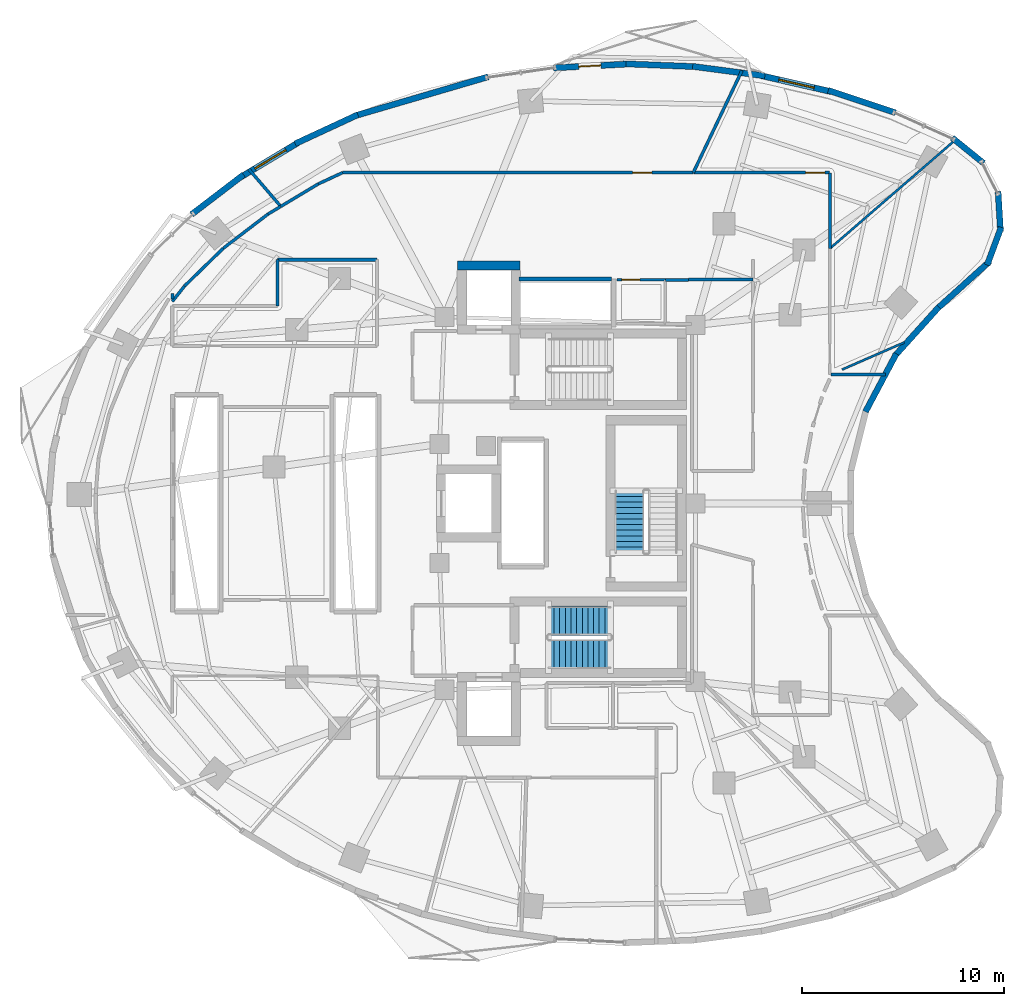
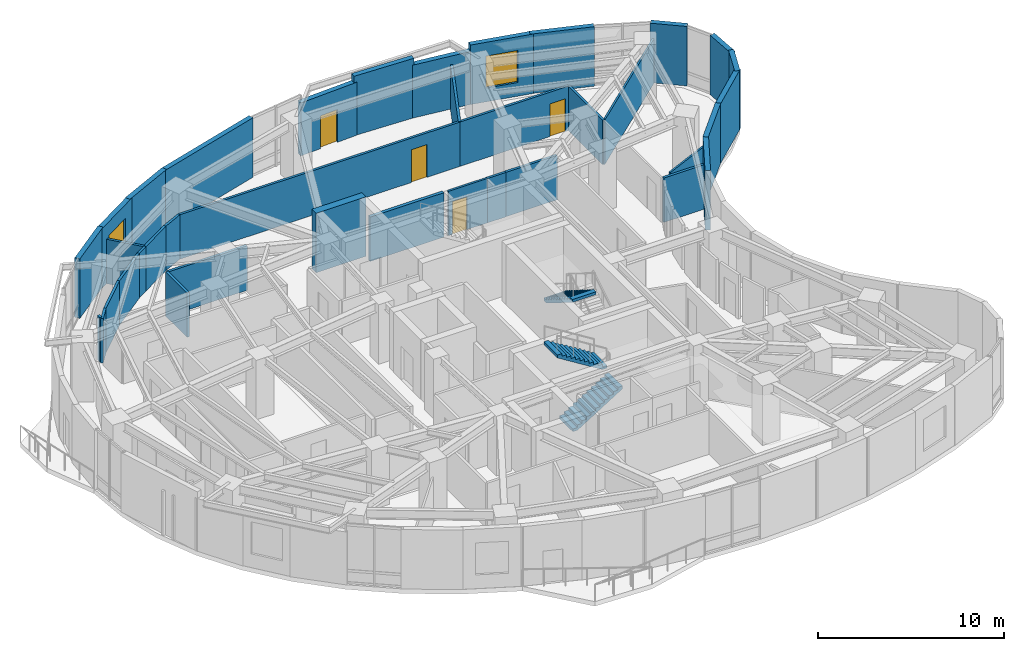
# One storey, part 11 of 15: 37 walls, 4 doors, 3 stair flights, 2 windows, 6 openings, 2 elements without a shape of their own.
"""IFC4 building model written with IfcOpenShell, lengths in metres."""

from ifc_helpers import new_model, si_unit, direction, frame, frame_2d, origin, place, context, subcontext, project, spatial, polyline, rectangle, outline, extrude, material, layer, layer_set, type_object, element, fill, aggregate, save


model = new_model("IFC4")

# Units and contexts
model_context = context("Model", 3, precision=1e-05, world=origin(), true_north=direction((0.0, 1.0)))
body_context = subcontext(model_context, "Body", "Model", "MODEL_VIEW")
ifc_project = project(units=[si_unit("LENGTHUNIT", "METRE"), si_unit("AREAUNIT", "SQUARE_METRE"), si_unit("VOLUMEUNIT", "CUBIC_METRE"), si_unit("PLANEANGLEUNIT", "RADIAN"), si_unit("MASSUNIT", "GRAM", prefix="KILO")], contexts=[model_context])

# Site, building, storey
site_placement = place(None, origin())
site = spatial("IfcSite", under=ifc_project, at=site_placement, CompositionType="ELEMENT")
building_placement = place(site_placement, origin())
building = spatial("IfcBuilding", under=site, at=building_placement, Name="Korentha Bioscience Tower", CompositionType="ELEMENT")
storey_placement = place(building_placement, frame((0.0, 0.0, 111.0)))
storey = spatial("IfcBuildingStorey", under=building, at=storey_placement, Name="L25", CompositionType="ELEMENT", Elevation=111.0)

# Wall, opening, door
ifc_material_1 = material(Name="Double-Stud Acoustic Gypsum", Category="gypsum")
ifc_layer_1 = layer(ifc_material_1, 0.14990234375, Name="Double-Stud Acoustic Gypsum")
ifc_layer_set_1 = layer_set([ifc_layer_1], Name="Double-Stud Acoustic Gypsum (IW-L150)")
wall_type_1 = type_object("IfcWallType", Name="Acoustic Laboratory Partition Wall 150", PredefinedType="PARTITIONING", material=ifc_layer_set_1)
wall_1_placement = place(storey_placement, frame((44.199951171875, 43.409912109375, 0.0), z_axis=(0.0, 0.0, 1.0), x_axis=(-1.0, 0.0, 0.0)))
wall_1 = element("IfcWall", 1, at=wall_1_placement, inside=storey, type_object=wall_type_1, Name="L25 Peer-Review Conference Room 11 Entrance Wall", PredefinedType="PARTITIONING", context=body_context, shape_type="SweptSolid", body=[
    extrude(rectangle(XDim=6.762939453125, YDim=0.14990234375, at=frame_2d((3.38134765625, 0.0))), origin(), (0.0, 0.0, 1.0), 2.909912109375),
])
opening_1_placement = place(wall_1_placement, frame((0.239990234375, 0.0, 0.0)))
opening_1 = element("IfcOpeningElement", 2, at=opening_1_placement, cuts=wall_1, Name="Opening ID-10R", PredefinedType="OPENING", context=body_context, shape_type="SweptSolid", body=[
    extrude(rectangle(XDim=0.949951171875, YDim=2.14990234375, at=frame_2d((0.47509765625, 1.074951171875))), frame((0.0, 0.08984375, 0.0), z_axis=(0.0, -1.0, 0.0), x_axis=(1.0, 0.0, 0.0)), (0.0, 0.0, 1.0), 0.1796875),
])
ifc_material_2 = material(Name="Phenolic Laminate Timber Core", Category="wood")
door_type_1 = type_object("IfcDoorType", Name="Laboratory Single Leaf Door 950x2150 Right", OperationType="SINGLE_SWING_RIGHT", PredefinedType="DOOR", material=ifc_material_2)
door_1_placement = place(opening_1_placement, origin())
door_1 = element("IfcDoor", 3, at=door_1_placement, inside=storey, type_object=door_type_1, Name="L25 Peer-Review Conference Room 11 Door", OperationType="SINGLE_SWING_RIGHT", OverallHeight=2.14990234375, OverallWidth=0.949951171875, PredefinedType="DOOR", context=body_context, shape_type="SweptSolid", body=[
    extrude(rectangle(XDim=0.949951171875, YDim=2.14990234375, at=frame_2d((0.47509765625, 1.074951171875))), frame((0.0, 0.02490234375, 0.0), z_axis=(0.0, -1.0, 0.0), x_axis=(1.0, 0.0, 0.0)), (0.0, 0.0, 1.0), 0.050048828125),
])
fill(opening_1, door_1)

wall_2_placement = place(storey_placement, frame((37.427001953125, 43.409912109375, 0.0), z_axis=(0.0, 0.0, 1.0), x_axis=(-1.0, 0.0, 0.0)))
wall_2 = element("IfcWall", 4, at=wall_2_placement, inside=storey, type_object=wall_type_1, Name="L25 Staff Tea and Espresso Break Lounge 12 Entrance Wall", PredefinedType="PARTITIONING", context=body_context, shape_type="SweptSolid", body=[
    extrude(rectangle(XDim=17.384521484375, YDim=0.14990234375, at=frame_2d((8.6923828125, 0.0))), origin(), (0.0, 0.0, 1.0), 2.909912109375),
])
opening_2_placement = place(wall_2_placement, frame((2.04931640625, 0.0, 0.0)))
opening_2 = element("IfcOpeningElement", 5, at=opening_2_placement, cuts=wall_2, Name="Opening ID-10L", PredefinedType="OPENING", context=body_context, shape_type="SweptSolid", body=[
    extrude(rectangle(XDim=0.949951171875, YDim=2.14990234375, at=frame_2d((0.47509765625, 1.074951171875))), frame((0.0, 0.08984375, 0.0), z_axis=(0.0, -1.0, 0.0), x_axis=(1.0, 0.0, 0.0)), (0.0, 0.0, 1.0), 0.1796875),
])
door_type_2 = type_object("IfcDoorType", Name="Laboratory Single Leaf Door 950x2150 Left", OperationType="SINGLE_SWING_LEFT", PredefinedType="DOOR", material=ifc_material_2)
door_2_placement = place(opening_2_placement, origin())
door_2 = element("IfcDoor", 6, at=door_2_placement, inside=storey, type_object=door_type_2, Name="L25 Staff Tea and Espresso Break Lounge 12 Door", OperationType="SINGLE_SWING_LEFT", OverallHeight=2.14990234375, OverallWidth=0.949951171875, PredefinedType="DOOR", context=body_context, shape_type="SweptSolid", body=[
    extrude(rectangle(XDim=0.949951171875, YDim=2.14990234375, at=frame_2d((0.47509765625, 1.074951171875))), frame((0.0, 0.02490234375, 0.0), z_axis=(0.0, -1.0, 0.0), x_axis=(1.0, 0.0, 0.0)), (0.0, 0.0, 1.0), 0.050048828125),
])
fill(opening_2, door_2)

# Walls
wall_3_placement = place(storey_placement, frame((36.06005859375, 38.090087890625, 0.0), z_axis=(0.0, 0.0, 1.0), x_axis=(1.0, 0.0, 0.0)))
element("IfcWall", 7, at=wall_3_placement, inside=storey, type_object=wall_type_1, Name="L25 Interior Partition 057", PredefinedType="PARTITIONING", context=body_context, shape_type="SweptSolid", body=[
    extrude(rectangle(XDim=1.139892578125, YDim=0.14990234375, at=frame_2d((0.56982421875, 0.0))), origin(), (0.0, 0.0, 1.0), 2.909912109375),
])
wall_4_placement = place(storey_placement, frame((37.2099609375, 38.10009765625, 0.0), z_axis=(0.0, 0.0, 1.0), x_axis=(1.0, 0.0, 0.0)))
element("IfcWall", 8, at=wall_4_placement, inside=storey, type_object=wall_type_1, Name="L25 Interior Partition 059", PredefinedType="PARTITIONING", context=body_context, shape_type="SweptSolid", body=[
    extrude(rectangle(XDim=3.179931640625, YDim=0.14990234375, at=frame_2d((1.58984375, 0.0))), origin(), (0.0, 0.0, 1.0), 2.909912109375),
])
wall_5_placement = place(storey_placement, frame((44.2099609375, 39.653076171875, 0.0), z_axis=(0.0, 0.0, 1.0), x_axis=(0.0, 1.0, 0.0)))
element("IfcWall", 9, at=wall_5_placement, inside=storey, type_object=wall_type_1, Name="L25 Interior Partition 063", PredefinedType="PARTITIONING", context=body_context, shape_type="SweptSolid", body=[
    extrude(rectangle(XDim=3.746826171875, YDim=0.14990234375, at=frame_2d((1.87353515625, 0.0))), origin(), (0.0, 0.0, 1.0), 2.909912109375),
])
wall_6_placement = place(storey_placement, frame((37.43701171875, 43.409912109375, 0.0), z_axis=(0.0, 0.0, 1.0), x_axis=(0.430520600722, 0.902580751154, 0.0)))
element("IfcWall", 10, at=wall_6_placement, inside=storey, type_object=wall_type_1, Name="L25 Interior Partition 064", PredefinedType="PARTITIONING", context=body_context, shape_type="SweptSolid", body=[
    extrude(rectangle(XDim=5.60107421875, YDim=0.14990234375, at=frame_2d((2.800537109375, 0.0))), origin(), (0.0, 0.0, 1.0), 2.909912109375),
])
wall_7_placement = place(storey_placement, frame((20.038330078125, 43.4091796875, 0.0), z_axis=(0.0, 0.0, 1.0), x_axis=(-0.907124862852, -0.420861596248, 0.0)))
element("IfcWall", 11, at=wall_7_placement, inside=storey, type_object=wall_type_1, Name="L25 Interior Partition 065", PredefinedType="PARTITIONING", context=body_context, shape_type="SweptSolid", body=[
    extrude(rectangle(XDim=1.321533203125, YDim=0.14990234375, at=frame_2d((0.66064453125, 0.0))), origin(), (0.0, 0.0, 1.0), 2.909912109375),
])
wall_8_placement = place(storey_placement, frame((18.838623046875, 42.8525390625, 0.0), z_axis=(0.0, 0.0, 1.0), x_axis=(-0.857651118507, -0.514232008848, 0.0)))
element("IfcWall", 12, at=wall_8_placement, inside=storey, type_object=wall_type_1, Name="L25 Interior Partition 066", PredefinedType="PARTITIONING", context=body_context, shape_type="SweptSolid", body=[
    extrude(rectangle(XDim=2.17822265625, YDim=0.14990234375, at=frame_2d((1.089111328125, 0.0))), origin(), (0.0, 0.0, 1.0), 2.909912109375),
])
wall_9_placement = place(storey_placement, frame((16.970458984375, 41.732421875, 0.0), z_axis=(0.0, 0.0, 1.0), x_axis=(-0.651186692683, 0.758917578708, 0.0)))
element("IfcWall", 13, at=wall_9_placement, inside=storey, type_object=wall_type_1, Name="L25 Interior Partition 067", PredefinedType="PARTITIONING", context=body_context, shape_type="SweptSolid", body=[
    extrude(rectangle(XDim=2.440673828125, YDim=0.14990234375, at=frame_2d((1.22021484375, 0.0))), origin(), (0.0, 0.0, 1.0), 2.909912109375),
])
wall_10_placement = place(storey_placement, frame((16.9619140625, 41.72705078125, 0.0), z_axis=(0.0, 0.0, 1.0), x_axis=(-0.857611696608, -0.514297752126, 0.0)))
element("IfcWall", 14, at=wall_10_placement, inside=storey, type_object=wall_type_1, Name="L25 Interior Partition 073", PredefinedType="PARTITIONING", context=body_context, shape_type="SweptSolid", body=[
    extrude(rectangle(XDim=0.725341796875, YDim=0.14990234375, at=frame_2d((0.36279296875, 0.0))), origin(), (0.0, 0.0, 1.0), 2.909912109375),
])
wall_11_placement = place(storey_placement, frame((16.3388671875, 41.353515625, 0.0), z_axis=(0.0, 0.0, 1.0), x_axis=(-0.794513779695, -0.607246122981, 0.0)))
element("IfcWall", 15, at=wall_11_placement, inside=storey, type_object=wall_type_1, Name="L25 Interior Partition 074", PredefinedType="PARTITIONING", context=body_context, shape_type="SweptSolid", body=[
    extrude(rectangle(XDim=2.799072265625, YDim=0.14990234375, at=frame_2d((1.3994140625, 0.0))), origin(), (0.0, 0.0, 1.0), 2.909912109375),
])
wall_12_placement = place(storey_placement, frame((14.1142578125, 39.65283203125, 0.0), z_axis=(0.0, 0.0, 1.0), x_axis=(-0.716161838398, -0.697934252794, 0.0)))
element("IfcWall", 16, at=wall_12_placement, inside=storey, type_object=wall_type_1, Name="L25 Interior Partition 075", PredefinedType="PARTITIONING", context=body_context, shape_type="SweptSolid", body=[
    extrude(rectangle(XDim=2.6787109375, YDim=0.14990234375, at=frame_2d((1.33935546875, 0.0))), origin(), (0.0, 0.0, 1.0), 2.909912109375),
])
wall_13_placement = place(storey_placement, frame((12.195068359375, 37.781982421875, 0.0), z_axis=(0.0, 0.0, 1.0), x_axis=(-0.621081637991, -0.783745876513, 0.0)))
element("IfcWall", 17, at=wall_13_placement, inside=storey, type_object=wall_type_1, Name="L25 Interior Partition 076", PredefinedType="PARTITIONING", context=body_context, shape_type="SweptSolid", body=[
    extrude(rectangle(XDim=0.97412109375, YDim=0.14990234375, at=frame_2d((0.487060546875, 0.0))), origin(), (0.0, 0.0, 1.0), 2.909912109375),
])
wall_14_placement = place(storey_placement, frame((11.590087890625, 37.14404296875, 0.0), z_axis=(0.0, 0.0, 1.0), x_axis=(0.0, 1.0, 0.0)))
element("IfcWall", 18, at=wall_14_placement, inside=storey, type_object=wall_type_1, Name="L25 Interior Partition 077", PredefinedType="PARTITIONING", context=body_context, shape_type="SweptSolid", body=[
    extrude(rectangle(XDim=0.263916015625, YDim=0.14990234375, at=frame_2d((0.1318359375, 0.0))), origin(), (0.0, 0.0, 1.0), 2.909912109375),
])
ifc_material_3 = material(Name="Fire-Rated Framed Glass", Category="glass")
ifc_layer_2 = layer(ifc_material_3, 0.110107421875, Name="Fire-Rated Framed Glass")
ifc_layer_set_2 = layer_set([ifc_layer_2], Name="Fire-Rated Framed Glass (IW-G110)")
wall_type_2 = type_object("IfcWallType", Name="Demountable Glazed Office Partition 110", PredefinedType="MOVABLE", material=ifc_layer_set_2)
wall_15_placement = place(storey_placement, frame((47.896728515625, 34.981689453125, 0.0), z_axis=(0.0, 0.0, 1.0), x_axis=(-0.916547126563, -0.399926699271, 0.0)))
element("IfcWall", 19, at=wall_15_placement, inside=storey, type_object=wall_type_2, Name="L25 Interior Partition 055", PredefinedType="MOVABLE", context=body_context, shape_type="SweptSolid", body=[
    extrude(rectangle(XDim=3.360107421875, YDim=0.110107421875, at=frame_2d((1.68017578125, 0.0))), origin(), (0.0, 0.0, 1.0), 2.909912109375),
])
wall_16_placement = place(storey_placement, frame((44.2099609375, 39.639892578125, 0.0), z_axis=(0.0, 0.0, 1.0), x_axis=(0.756015454453, 0.654553766033, 0.0)))
element("IfcWall", 20, at=wall_16_placement, inside=storey, type_object=wall_type_2, Name="L25 Interior Partition 056", PredefinedType="MOVABLE", context=body_context, shape_type="SweptSolid", body=[
    extrude(rectangle(XDim=8.340087890625, YDim=0.110107421875, at=frame_2d((4.169921875, 0.0))), origin(), (0.0, 0.0, 1.0), 2.909912109375),
])
ifc_material_4 = material(Name="Gypsum-Clad Steel Stud", Category="steel")
ifc_layer_3 = layer(ifc_material_4, 0.159912109375, Name="Gypsum-Clad Steel Stud")
ifc_layer_set_3 = layer_set([ifc_layer_3], Name="Gypsum-Clad Steel Stud (IW-C160)")
wall_type_3 = type_object("IfcWallType", Name="Fire-Rated Corridor Partition Wall 160", PredefinedType="PARTITIONING", material=ifc_layer_set_3)
wall_17_placement = place(storey_placement, frame((44.277099609375, 33.39794921875, 0.0), z_axis=(0.0, 0.0, 1.0), x_axis=(1.0, 0.0, 0.0)))
element("IfcWall", 21, at=wall_17_placement, inside=storey, type_object=wall_type_3, Name="L25 Interior Partition 054", PredefinedType="PARTITIONING", context=body_context, shape_type="SweptSolid", body=[
    extrude(rectangle(XDim=2.7041015625, YDim=0.159912109375, at=frame_2d((1.35205078125, 0.0))), origin(), (0.0, 0.0, 1.0), 2.909912109375),
])
wall_18_placement = place(storey_placement, frame((16.81005859375, 36.800048828125, 0.0), z_axis=(0.0, 0.0, 1.0), x_axis=(0.0, 1.0, 0.0)))
element("IfcWall", 22, at=wall_18_placement, inside=storey, type_object=wall_type_3, Name="L25 Interior Partition 069", PredefinedType="PARTITIONING", context=body_context, shape_type="SweptSolid", body=[
    extrude(rectangle(XDim=2.2900390625, YDim=0.159912109375, at=frame_2d((1.14501953125, 0.0))), origin(), (0.0, 0.0, 1.0), 2.909912109375),
])
wall_19_placement = place(storey_placement, frame((16.81005859375, 39.090087890625, 0.0), z_axis=(0.0, 0.0, 1.0), x_axis=(1.0, 0.0, 0.0)))
element("IfcWall", 23, at=wall_19_placement, inside=storey, type_object=wall_type_3, Name="L25 Interior Partition 070", PredefinedType="PARTITIONING", context=body_context, shape_type="SweptSolid", body=[
    extrude(rectangle(XDim=4.929931640625, YDim=0.159912109375, at=frame_2d((2.46484375, 0.0))), origin(), (0.0, 0.0, 1.0), 2.909912109375),
])

# Wall, opening, window
ifc_material_5 = material(Name="Honed Limestone Precast Concrete C40", Category="masonry")
ifc_layer_4 = layer(ifc_material_5, 0.300048828125, Name="Honed Limestone Precast Concrete C40")
ifc_layer_set_4 = layer_set([ifc_layer_4], Name="Honed Limestone Precast Concrete C40 (EW-ST300)")
wall_type_4 = type_object("IfcWallType", Name="Honed Limestone Cavity Spandrel Wall 300", PredefinedType="STANDARD", material=ifc_layer_set_4)
wall_20_placement = place(storey_placement, frame((44.277587890625, 47.42578125, 0.0), z_axis=(0.0, 0.0, 1.0), x_axis=(-0.974836214244, 0.222922307989, 0.0)))
wall_20 = element("IfcWall", 24, at=wall_20_placement, inside=storey, type_object=wall_type_4, Name="L25 Honed Limestone Spandrel Wall 03", PredefinedType="STANDARD", context=body_context, shape_type="SweptSolid", body=[
    extrude(rectangle(XDim=3.53515625, YDim=0.300048828125, at=frame_2d((1.767578125, 0.0))), origin(), (0.0, 0.0, 1.0), 3.89990234375),
])
opening_3_placement = place(wall_20_placement, frame((0.86767578125, 0.0, 0.89990234375)))
opening_3 = element("IfcOpeningElement", 25, at=opening_3_placement, cuts=wall_20, Name="Opening WN-01", PredefinedType="OPENING", context=body_context, shape_type="SweptSolid", body=[
    extrude(rectangle(XDim=1.800048828125, YDim=2.10009765625, at=frame_2d((0.89990234375, 1.050048828125))), frame((0.0, 0.1650390625, 0.0), z_axis=(0.0, -1.0, 0.0), x_axis=(1.0, 0.0, 0.0)), (0.0, 0.0, 1.0), 0.329833984375),
])
ifc_material_6 = material(Name="Thermally Broken Aluminium Triple Glazing", Category="aluminium")
window_type = type_object("IfcWindowType", Name="Triple-Glazed Fixed Bioscience Window 1800x2100", PartitioningType="SINGLE_PANEL", PredefinedType="WINDOW", material=ifc_material_6)
window_1_placement = place(opening_3_placement, origin())
window_1 = element("IfcWindow", 26, at=window_1_placement, inside=storey, type_object=window_type, Name="L25 Facade Window 03", OverallHeight=2.10009765625, OverallWidth=1.800048828125, PartitioningType="SINGLE_PANEL", PredefinedType="WINDOW", context=body_context, shape_type="SweptSolid", body=[
    extrude(rectangle(XDim=1.800048828125, YDim=2.10009765625, at=frame_2d((0.89990234375, 1.050048828125))), frame((0.0, 0.030029296875, 0.0), z_axis=(0.0, -1.0, 0.0), x_axis=(1.0, 0.0, 0.0)), (0.0, 0.0, 1.0), 0.06005859375),
])
fill(opening_3, window_1)

# Wall, opening, door
wall_21_placement = place(storey_placement, frame((34.095703125, 48.79052734375, 0.0), z_axis=(0.0, 0.0, 1.0), x_axis=(-0.998676861232, -0.051424963197, 0.0)))
wall_21 = element("IfcWall", 27, at=wall_21_placement, inside=storey, type_object=wall_type_4, Name="L25 Balcony Threshold Wall 01", PredefinedType="STANDARD", context=body_context, shape_type="SweptSolid", body=[
    extrude(rectangle(XDim=3.59375, YDim=0.300048828125, at=frame_2d((1.796875, 0.0))), origin(), (0.0, 0.0, 1.0), 3.469970703125),
])
opening_4_placement = place(wall_21_placement, frame((1.246826171875, 0.0, 0.0)))
opening_4 = element("IfcOpeningElement", 28, at=opening_4_placement, cuts=wall_21, Name="Opening BD-11L", PredefinedType="OPENING", context=body_context, shape_type="SweptSolid", body=[
    extrude(rectangle(XDim=1.10009765625, YDim=2.14990234375, at=frame_2d((0.550048828125, 1.074951171875))), frame((0.0, 0.1650390625, 0.0), z_axis=(0.0, -1.0, 0.0), x_axis=(1.0, 0.0, 0.0)), (0.0, 0.0, 1.0), 0.329833984375),
])
ifc_material_7 = material(Name="Thermally Broken Glazed Aluminium", Category="aluminium")
door_type_3 = type_object("IfcDoorType", Name="Balcony Terrace Glazed Door 1100x2150 Left", OperationType="SINGLE_SWING_LEFT", PredefinedType="DOOR", material=ifc_material_7)
door_3_placement = place(opening_4_placement, origin())
door_3 = element("IfcDoor", 29, at=door_3_placement, inside=storey, type_object=door_type_3, Name="L25 Balcony Access Door 01", OperationType="SINGLE_SWING_LEFT", OverallHeight=2.14990234375, OverallWidth=1.10009765625, PredefinedType="DOOR", context=body_context, shape_type="SweptSolid", body=[
    extrude(rectangle(XDim=1.10009765625, YDim=2.14990234375, at=frame_2d((0.550048828125, 1.074951171875))), frame((0.0, 0.02490234375, 0.0), z_axis=(0.0, -1.0, 0.0), x_axis=(1.0, 0.0, 0.0)), (0.0, 0.0, 1.0), 0.050048828125),
])
fill(opening_4, door_3)

# Wall, opening, window
wall_22_placement = place(storey_placement, frame((17.83349609375, 44.896728515625, 0.0), z_axis=(0.0, 0.0, 1.0), x_axis=(-0.85758429223, -0.514343447242, 0.0)))
wall_22 = element("IfcWall", 30, at=wall_22_placement, inside=storey, type_object=wall_type_4, Name="L25 Honed Limestone Spandrel Wall 11", PredefinedType="STANDARD", context=body_context, shape_type="SweptSolid", body=[
    extrude(rectangle(XDim=3.30029296875, YDim=0.300048828125, at=frame_2d((1.650146484375, 0.0))), origin(), (0.0, 0.0, 1.0), 3.89990234375),
])
opening_5_placement = place(wall_22_placement, frame((0.70751953125, 0.0, 0.89990234375)))
opening_5 = element("IfcOpeningElement", 31, at=opening_5_placement, cuts=wall_22, Name="Opening WN-01", PredefinedType="OPENING", context=body_context, shape_type="SweptSolid", body=[
    extrude(rectangle(XDim=1.800048828125, YDim=2.10009765625, at=frame_2d((0.89990234375, 1.050048828125))), frame((0.0, 0.1650390625, 0.0), z_axis=(0.0, -1.0, 0.0), x_axis=(1.0, 0.0, 0.0)), (0.0, 0.0, 1.0), 0.329833984375),
])
window_2_placement = place(opening_5_placement, origin())
window_2 = element("IfcWindow", 32, at=window_2_placement, inside=storey, type_object=window_type, Name="L25 Facade Window 11", OverallHeight=2.10009765625, OverallWidth=1.800048828125, PartitioningType="SINGLE_PANEL", PredefinedType="WINDOW", context=body_context, shape_type="SweptSolid", body=[
    extrude(rectangle(XDim=1.800048828125, YDim=2.10009765625, at=frame_2d((0.89990234375, 1.050048828125))), frame((0.0, 0.030029296875, 0.0), z_axis=(0.0, -1.0, 0.0), x_axis=(1.0, 0.0, 0.0)), (0.0, 0.0, 1.0), 0.06005859375),
])
fill(opening_5, window_2)

# Walls
wall_23_placement = place(storey_placement, frame((47.471435546875, 46.37841796875, 0.0), z_axis=(0.0, 0.0, 1.0), x_axis=(-0.948946814906, 0.315436114737, 0.0)))
element("IfcWall", 33, at=wall_23_placement, inside=storey, type_object=wall_type_4, Name="L25 Limestone Perimeter Closure Wall 02", PredefinedType="STANDARD", context=body_context, shape_type="SweptSolid", body=[
    extrude(rectangle(XDim=3.51611328125, YDim=0.300048828125, at=frame_2d((1.758056640625, 0.0))), origin(), (0.0, 0.0, 1.0), 3.89990234375),
])
wall_24_placement = place(storey_placement, frame((40.986572265625, 48.20703125, 0.0), z_axis=(0.0, 0.0, 1.0), x_axis=(-0.991372969521, 0.131071107816, 0.0)))
element("IfcWall", 34, at=wall_24_placement, inside=storey, type_object=wall_type_4, Name="L25 Limestone Perimeter Closure Wall 04", PredefinedType="STANDARD", context=body_context, shape_type="SweptSolid", body=[
    extrude(rectangle(XDim=3.615478515625, YDim=0.300048828125, at=frame_2d((1.8076171875, 0.0))), origin(), (0.0, 0.0, 1.0), 3.469970703125),
])
wall_25_placement = place(storey_placement, frame((37.574462890625, 48.666259765625, 0.0), z_axis=(0.0, 0.0, 1.0), x_axis=(-0.999212076676, 0.039689114679, 0.0)))
element("IfcWall", 35, at=wall_25_placement, inside=storey, type_object=wall_type_4, Name="L25 Limestone Perimeter Closure Wall 05", PredefinedType="STANDARD", context=body_context, shape_type="SweptSolid", body=[
    extrude(rectangle(XDim=3.635498046875, YDim=0.300048828125, at=frame_2d((1.81787109375, 0.0))), origin(), (0.0, 0.0, 1.0), 3.89990234375),
])
wall_26_placement = place(storey_placement, frame((27.258544921875, 48.163330078125, 0.0), z_axis=(0.0, 0.0, 1.0), x_axis=(-0.959706958999, -0.281002763064, 0.0)))
element("IfcWall", 36, at=wall_26_placement, inside=storey, type_object=wall_type_4, Name="L25 Limestone Perimeter Closure Wall 08", PredefinedType="STANDARD", context=body_context, shape_type="SweptSolid", body=[
    extrude(rectangle(XDim=6.907958984375, YDim=0.300048828125, at=frame_2d((3.4541015625, 0.0))), origin(), (0.0, 0.0, 1.0), 3.89990234375),
])
wall_27_placement = place(storey_placement, frame((20.7978515625, 46.28564453125, 0.0), z_axis=(0.0, 0.0, 1.0), x_axis=(-0.907166186263, -0.420772516333, 0.0)))
element("IfcWall", 37, at=wall_27_placement, inside=storey, type_object=wall_type_4, Name="L25 Limestone Perimeter Closure Wall 10", PredefinedType="STANDARD", context=body_context, shape_type="SweptSolid", body=[
    extrude(rectangle(XDim=3.43017578125, YDim=0.300048828125, at=frame_2d((1.715087890625, 0.0))), origin(), (0.0, 0.0, 1.0), 3.89990234375),
])
wall_28_placement = place(storey_placement, frame((15.120849609375, 43.3046875, 0.0), z_axis=(0.0, 0.0, 1.0), x_axis=(-0.794500987227, -0.607262860132, 0.0)))
element("IfcWall", 38, at=wall_28_placement, inside=storey, type_object=wall_type_4, Name="L25 Limestone Perimeter Closure Wall 12", PredefinedType="STANDARD", context=body_context, shape_type="SweptSolid", body=[
    extrude(rectangle(XDim=3.242919921875, YDim=0.300048828125, at=frame_2d((1.62158203125, 0.0))), origin(), (0.0, 0.0, 1.0), 3.89990234375),
])
wall_29_placement = place(storey_placement, frame((45.98046875, 31.546630859375, 0.0), z_axis=(0.0, 0.0, 1.0), x_axis=(0.469451284634, 0.882958374645, 0.0)))
element("IfcWall", 39, at=wall_29_placement, inside=storey, type_object=wall_type_4, Name="L25 Limestone Perimeter Closure Wall 53", PredefinedType="STANDARD", context=body_context, shape_type="SweptSolid", body=[
    extrude(rectangle(XDim=3.255615234375, YDim=0.300048828125, at=frame_2d((1.6279296875, 0.0))), origin(), (0.0, 0.0, 1.0), 3.89990234375),
])
wall_30_placement = place(storey_placement, frame((47.437255859375, 34.319091796875, 0.0), z_axis=(0.0, 0.0, 1.0), x_axis=(0.669167727967, 0.743111399353, 0.0)))
element("IfcWall", 40, at=wall_30_placement, inside=storey, type_object=wall_type_4, Name="L25 Limestone Perimeter Closure Wall 55", PredefinedType="STANDARD", context=body_context, shape_type="SweptSolid", body=[
    extrude(rectangle(XDim=3.25537109375, YDim=0.300048828125, at=frame_2d((1.627685546875, 0.0))), origin(), (0.0, 0.0, 1.0), 3.89990234375),
])
wall_31_placement = place(storey_placement, frame((49.51318359375, 36.6357421875, 0.0), z_axis=(0.0, 0.0, 1.0), x_axis=(0.74255963233, 0.669779958221, 0.0)))
element("IfcWall", 41, at=wall_31_placement, inside=storey, type_object=wall_type_4, Name="L25 Limestone Perimeter Closure Wall 57", PredefinedType="STANDARD", context=body_context, shape_type="SweptSolid", body=[
    extrude(rectangle(XDim=3.5390625, YDim=0.300048828125, at=frame_2d((1.76953125, 0.0))), origin(), (0.0, 0.0, 1.0), 3.89990234375),
])
wall_32_placement = place(storey_placement, frame((52.016357421875, 38.822265625, 0.0), z_axis=(0.0, 0.0, 1.0), x_axis=(0.347370087337, 0.937728117539, 0.0)))
element("IfcWall", 42, at=wall_32_placement, inside=storey, type_object=wall_type_4, Name="L25 Limestone Perimeter Closure Wall 59", PredefinedType="STANDARD", context=body_context, shape_type="SweptSolid", body=[
    extrude(rectangle(XDim=1.997314453125, YDim=0.300048828125, at=frame_2d((0.99853515625, 0.0))), origin(), (0.0, 0.0, 1.0), 3.89990234375),
])
for number, where, z_axis, x_axis, name in (
    (43, (52.678955078125, 40.4833984375, 0.0), (0.0, 0.0, 1.0), (-0.060255200356, 0.998183004679, 0.0), "L25 Limestone Perimeter Closure Wall 60"),
    (44, (51.83642578125, 43.880615234375, 0.0), (0.0, 0.0, 1.0), (-0.777338789647, 0.629082193445, 0.0), "L25 Limestone Perimeter Closure Wall 62"),
):
    element("IfcWall", number, at=place(storey_placement, frame(where, z_axis=z_axis, x_axis=x_axis)), inside=storey, type_object=wall_type_4, Name=name, PredefinedType="STANDARD", context=body_context, shape_type="SweptSolid", body=[
        extrude(rectangle(XDim=1.99755859375, YDim=0.300048828125, at=frame_2d((0.998779296875, 0.0))), origin(), (0.0, 0.0, 1.0), 3.89990234375),
    ])
ifc_material_8 = material(Name="Autoclaved Aerated Concrete Block C25", Category="concrete")
ifc_layer_5 = layer(ifc_material_8, 0.199951171875, Name="Autoclaved Aerated Concrete Block C25")
ifc_layer_set_5 = layer_set([ifc_layer_5], Name="Autoclaved Aerated Concrete Block C25 (IW-S200)")
wall_type_5 = type_object("IfcWallType", Name="Lift and Riser Shaft Enclosure Wall 200", PredefinedType="PARTITIONING", material=ifc_layer_set_5)
wall_33_placement = place(storey_placement, frame((28.800048828125, 38.139892578125, 0.0), z_axis=(0.0, 0.0, 1.0), x_axis=(1.0, 0.0, 0.0)))
element("IfcWall", 45, at=wall_33_placement, inside=storey, type_object=wall_type_5, Name="L25 Lift Bank OBS Shaft Wall +Y", PredefinedType="PARTITIONING", context=body_context, shape_type="SweptSolid", body=[
    extrude(rectangle(XDim=4.570068359375, YDim=0.199951171875, at=frame_2d((2.28515625, 0.0))), origin(), (0.0, 0.0, 1.0), 2.909912109375),
])
ifc_material_9 = material(Name="Concrete C80", Category="concrete")
ifc_layer_6 = layer(ifc_material_9, 0.449951171875, Name="Concrete C80")
ifc_layer_set_6 = layer_set([ifc_layer_6], Name="Concrete C80 (CW-C80)")
wall_type_6 = type_object("IfcWallType", Name="Lower Core Shear Wall 450", PredefinedType="SHEAR", material=ifc_layer_set_6)
wall_34_placement = place(storey_placement, frame((25.75, 38.800048828125, 0.0), z_axis=(0.0, 0.0, 1.0), x_axis=(1.0, 0.0, 0.0)))
element("IfcWall", 46, at=wall_34_placement, inside=storey, type_object=wall_type_6, Name="L25 Core Shear Wall FFL2-N", PredefinedType="SHEAR", context=body_context, shape_type="SweptSolid", body=[
    extrude(rectangle(XDim=3.10009765625, YDim=0.449951171875, at=frame_2d((1.550048828125, 0.0))), origin(), (0.0, 0.0, 1.0), 3.89990234375),
])

# Wall, opening, door
ifc_material_10 = material(Name="Cement-Board Steel Stud", Category="steel")
ifc_layer_7 = layer(ifc_material_10, 0.1298828125, Name="Cement-Board Steel Stud")
ifc_layer_set_7 = layer_set([ifc_layer_7], Name="Cement-Board Steel Stud (IW-W130)")
wall_type_7 = type_object("IfcWallType", Name="Wet-Area Moisture-Resistant Partition 130", PredefinedType="PARTITIONING", material=ifc_layer_set_7)
wall_35_placement = place(storey_placement, frame((33.64990234375, 38.090087890625, 0.0), z_axis=(0.0, 0.0, 1.0), x_axis=(1.0, 0.0, 0.0)))
wall_35 = element("IfcWall", 47, at=wall_35_placement, inside=storey, type_object=wall_type_7, Name="L25 Accessible Staff WC Entrance Wall", PredefinedType="PARTITIONING", context=body_context, shape_type="SweptSolid", body=[
    extrude(rectangle(XDim=2.400146484375, YDim=0.1298828125, at=frame_2d((1.2001953125, 0.0))), origin(), (0.0, 0.0, 1.0), 2.909912109375),
])
opening_6_placement = place(wall_35_placement, frame((0.239990234375, 0.0, 0.0)))
opening_6 = element("IfcOpeningElement", 48, at=opening_6_placement, cuts=wall_35, Name="Opening ID-09L", PredefinedType="OPENING", context=body_context, shape_type="SweptSolid", body=[
    extrude(rectangle(XDim=0.89990234375, YDim=2.14990234375, at=frame_2d((0.449951171875, 1.074951171875))), frame((0.0, 0.079833984375, 0.0), z_axis=(0.0, -1.0, 0.0), x_axis=(1.0, 0.0, 0.0)), (0.0, 0.0, 1.0), 0.15966796875),
])
ifc_material_11 = material(Name="Moisture-Resistant HPL Leaf", Category="wood")
door_type_4 = type_object("IfcDoorType", Name="Restroom & Accessible WC Door 900x2150 Left", OperationType="SINGLE_SWING_LEFT", PredefinedType="DOOR", material=ifc_material_11)
door_4_placement = place(opening_6_placement, origin())
door_4 = element("IfcDoor", 49, at=door_4_placement, inside=storey, type_object=door_type_4, Name="L25 Accessible Staff WC Door", OperationType="SINGLE_SWING_LEFT", OverallHeight=2.14990234375, OverallWidth=0.89990234375, PredefinedType="DOOR", context=body_context, shape_type="SweptSolid", body=[
    extrude(rectangle(XDim=0.89990234375, YDim=2.14990234375, at=frame_2d((0.449951171875, 1.074951171875))), frame((0.0, 0.02490234375, 0.0), z_axis=(0.0, -1.0, 0.0), x_axis=(1.0, 0.0, 0.0)), (0.0, 0.0, 1.0), 0.050048828125),
])
fill(opening_6, door_4)

# Stair, stair flights
ifc_material_12 = material(Name="Precast Concrete C50", Category="concrete")
stair_type = type_object("IfcStairType", Name="Core Exit Dog-Leg Stair 1450", PredefinedType="HALF_TURN_STAIR", material=ifc_material_12)
stair_1_placement = place(storey_placement, origin())
stair_1 = element("IfcStair", 50, at=stair_1_placement, inside=storey, type_object=stair_type, Name="L25 Tower South Pressurized Exit Stair ST-2", PredefinedType="HALF_TURN_STAIR")
stair_flight_type = type_object("IfcStairFlightType", Name="Core Exit Dog-Leg Stair 1450 Flight", PredefinedType="STRAIGHT", material=ifc_material_12)
stair_flight_1_placement = place(storey_placement, frame((30.25, 19.52490234375, 0.0), z_axis=(0.0, 0.0, 1.0), x_axis=(1.0, 0.0, 0.0)))
stair_flight_1 = element("IfcStairFlight", 51, at=stair_flight_1_placement, type_object=stair_flight_type, Name="ST-2 flight 1", NumberOfRisers=12, NumberOfTreads=11, PredefinedType="STRAIGHT", RiserHeight=0.175, TreadLength=0.28, context=body_context, shape_type="SweptSolid", body=[
    extrude(outline(polyline([(0.0, 0.0), (0.0, 0.175048828125), (0.280029296875, 0.175048828125), (0.280029296875, 0.35009765625), (0.56005859375, 0.35009765625), (0.56005859375, 0.52490234375), (0.840087890625, 0.52490234375), (0.840087890625, 0.699951171875), (1.1201171875, 0.699951171875), (1.1201171875, 0.875), (1.39990234375, 0.875), (1.39990234375, 1.050048828125), (1.679931640625, 1.050048828125), (1.679931640625, 1.22509765625), (1.9599609375, 1.22509765625), (1.9599609375, 1.39990234375), (2.239990234375, 1.39990234375), (2.239990234375, 1.574951171875), (2.52001953125, 1.574951171875), (2.52001953125, 1.75), (2.800048828125, 1.75), (2.800048828125, 1.925048828125), (3.080078125, 1.925048828125), (3.080078125, 2.10009765625), (3.080078125, 1.736328125), (0.3017578125, 0.0), (0.0, 0.0)])), frame((0.0, 0.72509765625, 0.0), z_axis=(0.0, -1.0, 0.0), x_axis=(1.0, 0.0, 0.0)), (0.0, 0.0, 1.0), 1.449951171875),
])
stair_flight_2_placement = place(storey_placement, frame((33.330078125, 21.175048828125, 2.10009765625), z_axis=(0.0, 0.0, 1.0), x_axis=(-1.0, 0.0, 0.0)))
stair_flight_2 = element("IfcStairFlight", 52, at=stair_flight_2_placement, type_object=stair_flight_type, Name="ST-2 flight 2", NumberOfRisers=12, NumberOfTreads=11, PredefinedType="STRAIGHT", RiserHeight=0.175, TreadLength=0.28, context=body_context, shape_type="SweptSolid", body=[
    extrude(outline(polyline([(0.0, 0.0), (0.0, 0.175048828125), (0.280029296875, 0.175048828125), (0.280029296875, 0.35009765625), (0.56005859375, 0.35009765625), (0.56005859375, 0.52490234375), (0.840087890625, 0.52490234375), (0.840087890625, 0.699951171875), (1.1201171875, 0.699951171875), (1.1201171875, 0.875), (1.39990234375, 0.875), (1.39990234375, 1.050048828125), (1.679931640625, 1.050048828125), (1.679931640625, 1.22509765625), (1.9599609375, 1.22509765625), (1.9599609375, 1.39990234375), (2.239990234375, 1.39990234375), (2.239990234375, 1.574951171875), (2.52001953125, 1.574951171875), (2.52001953125, 1.75), (2.800048828125, 1.75), (2.800048828125, 1.925048828125), (3.080078125, 1.925048828125), (3.080078125, 2.10009765625), (3.080078125, 1.736328125), (0.3017578125, 0.0), (0.0, 0.0)])), frame((0.0, 0.72509765625, 0.0), z_axis=(0.0, -1.0, 0.0), x_axis=(1.0, 0.0, 0.0)), (0.0, 0.0, 1.0), 1.449951171875),
])
aggregate(stair_1, [stair_flight_1, stair_flight_2])

# Stair, stair flight
stair_2_placement = place(storey_placement, origin())
stair_2 = element("IfcStair", 53, at=stair_2_placement, inside=storey, type_object=stair_type, Name="L25 Tower Central Pressurized Exit Stair ST-3", PredefinedType="HALF_TURN_STAIR")
stair_flight_3_placement = place(storey_placement, frame((34.27490234375, 27.6298828125, 2.10009765625), z_axis=(0.0, 0.0, 1.0), x_axis=(0.0, -1.0, 0.0)))
stair_flight_3 = element("IfcStairFlight", 54, at=stair_flight_3_placement, type_object=stair_flight_type, Name="ST-3 flight 2", NumberOfRisers=12, NumberOfTreads=11, PredefinedType="STRAIGHT", RiserHeight=0.175, TreadLength=0.28, context=body_context, shape_type="SweptSolid", body=[
    extrude(outline(polyline([(0.0, 0.0), (0.0, 0.175048828125), (0.280029296875, 0.175048828125), (0.280029296875, 0.35009765625), (0.56005859375, 0.35009765625), (0.56005859375, 0.52490234375), (0.840087890625, 0.52490234375), (0.840087890625, 0.699951171875), (1.1201171875, 0.699951171875), (1.1201171875, 0.875), (1.39990234375, 0.875), (1.39990234375, 1.050048828125), (1.679931640625, 1.050048828125), (1.679931640625, 1.22509765625), (1.9599609375, 1.22509765625), (1.9599609375, 1.39990234375), (2.239990234375, 1.39990234375), (2.239990234375, 1.574951171875), (2.52001953125, 1.574951171875), (2.52001953125, 1.75), (2.800048828125, 1.75), (2.800048828125, 1.925048828125), (3.080078125, 1.925048828125), (3.080078125, 2.10009765625), (3.080078125, 1.736328125), (0.3017578125, 0.0), (0.0, 0.0)])), frame((0.0, 0.72509765625, 0.0), z_axis=(0.0, -1.0, 0.0), x_axis=(1.0, 0.0, 0.0)), (0.0, 0.0, 1.0), 1.449951171875),
])
aggregate(stair_2, [stair_flight_3])

save(model, "model.ifc")
